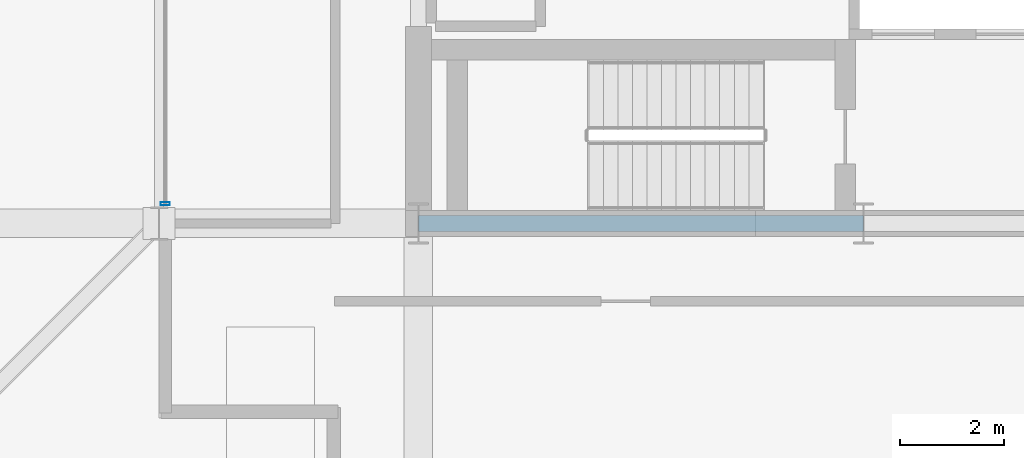
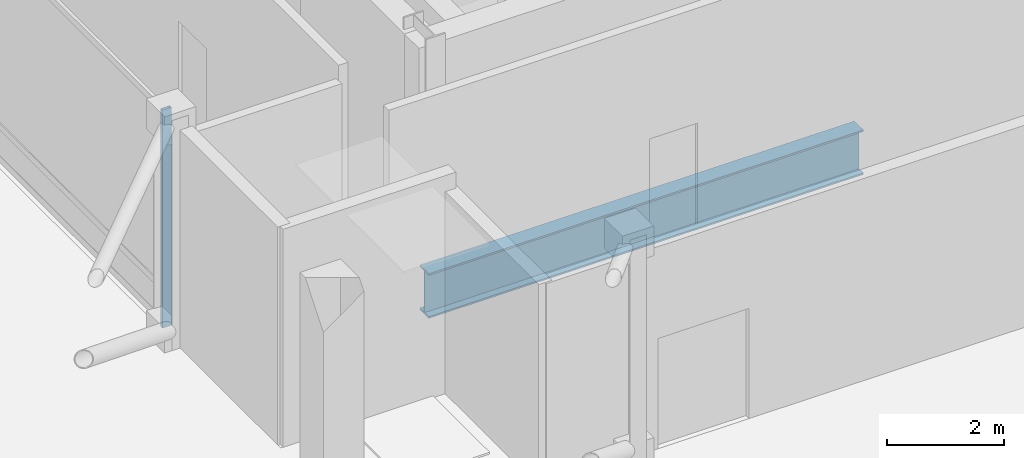
# One storey, part 2 of 17: 1 beam, 1 member, 1 element without a shape of its own.
"""IFC4 building model written with IfcOpenShell, lengths in metres."""

from ifc_helpers import new_model, si_unit, direction, frame, origin, origin_2d, place, context, subcontext, project, spatial, hollow_rectangle, i_section, extrude, material, layer, layer_set, material_profile, profile_set, type_object, element, aggregate, save


model = new_model("IFC4")

# Units and contexts
model_context = context("Model", 3, precision=1e-05, world=origin(), true_north=direction((0.0, 1.0)))
body_context = subcontext(model_context, "Body", "Model", "MODEL_VIEW")
ifc_project = project(units=[si_unit("LENGTHUNIT", "METRE"), si_unit("AREAUNIT", "SQUARE_METRE"), si_unit("VOLUMEUNIT", "CUBIC_METRE"), si_unit("PLANEANGLEUNIT", "RADIAN"), si_unit("MASSUNIT", "GRAM", prefix="KILO")], contexts=[model_context])

# Site, building, storey
site_placement = place(None, origin())
site = spatial("IfcSite", under=ifc_project, at=site_placement, CompositionType="ELEMENT")
building_placement = place(site_placement, origin())
building = spatial("IfcBuilding", under=site, at=building_placement, Name="Barlavira Tower and Art Museum", CompositionType="ELEMENT")
storey_placement = place(building_placement, frame((0.0, 0.0, 305.10009765625)))
storey = spatial("IfcBuildingStorey", under=building, at=storey_placement, Name="L80", CompositionType="ELEMENT", Elevation=305.10009765625)

# Curtain wall, member
ifc_material_1 = material(Name="Low-iron coastal laminated glass", Category="glass")
ifc_layer = layer(ifc_material_1, 0.22998046875, Name="Low-iron coastal laminated glass")
ifc_layer_set = layer_set([ifc_layer], Name="Low-iron coastal laminated glass")
curtain_wall_type = type_object("IfcCurtainWallType", Name="Winter-Garden Conservatory Glazed Curtain Wall", PredefinedType="NOTDEFINED", material=ifc_layer_set)
curtain_wall_placement = place(storey_placement, origin())
curtain_wall = element("IfcCurtainWall", 1, at=curtain_wall_placement, inside=storey, type_object=curtain_wall_type, Name="L80 Curtain Wall CW7-L80-W-B2", PredefinedType="NOTDEFINED")
ifc_material_2 = material(Name="Pale anodised aluminium", Category="aluminium")
ifc_material_profile_1 = material_profile(ifc_material_2, hollow_rectangle(XDim=0.06494140625, YDim=0.179931640625, WallThickness=0.00390625, at=origin_2d()), Name="ALU-MULL 65x180x4")
ifc_profile_set_1 = profile_set([ifc_material_profile_1], Name="Pale anodised aluminium")
member_type = type_object("IfcMemberType", Name="Curtain Wall Pale-Metal Mullion 65x180", PredefinedType="MULLION", material=ifc_profile_set_1)
member_placement = place(storey_placement, frame((-11.3798828125, -7.12060546875, 0.0), z_axis=(0.0, 0.0, 1.0), x_axis=(0.0, -1.0, 0.0)))
member = element("IfcMember", 2, at=member_placement, type_object=member_type, Name="CW7-L80-W-B2 Mullion 2", PredefinedType="MULLION", context=body_context, shape_type="SweptSolid", body=[
    extrude(hollow_rectangle(XDim=0.06494140625, YDim=0.179931640625, WallThickness=0.00390625, at=origin_2d()), origin(), (0.0, 0.0, 1.0), 4.5498046875),
])
aggregate(curtain_wall, [member])

# Beam
ifc_material_3 = material(Name="Steel S355", Category="steel")
ifc_material_profile_2 = material_profile(ifc_material_3, i_section(OverallWidth=0.30908203125, OverallDepth=0.931884765625, WebThickness=0.01953125, FlangeThickness=0.034423828125, at=origin_2d()), Name="W920x313.0")
ifc_profile_set_2 = profile_set([ifc_material_profile_2], Name="Steel S355")
beam_type = type_object("IfcBeamType", Name="Setback Ring Girder W920x313 Steel S355", PredefinedType="BEAM", material=ifc_profile_set_2)
beam_placement = place(storey_placement, frame((-6.5, -7.5, -0.76611328125), z_axis=(1.0, 0.0, 0.0), x_axis=(0.0, 1.0, 0.0)))
element("IfcBeam", 3, at=beam_placement, inside=storey, type_object=beam_type, Name="L80 Girder C-S1", PredefinedType="BEAM", context=body_context, shape_type="SweptSolid", body=[
    extrude(i_section(OverallWidth=0.30908203125, OverallDepth=0.931884765625, WebThickness=0.01953125, FlangeThickness=0.034423828125, at=origin_2d()), origin(), (0.0, 0.0, 1.0), 8.580078125),
])

save(model, "model.ifc")
